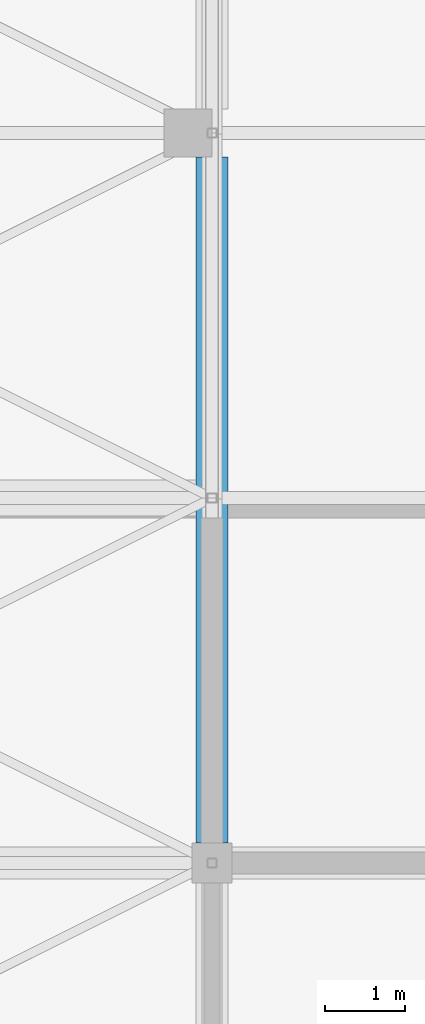
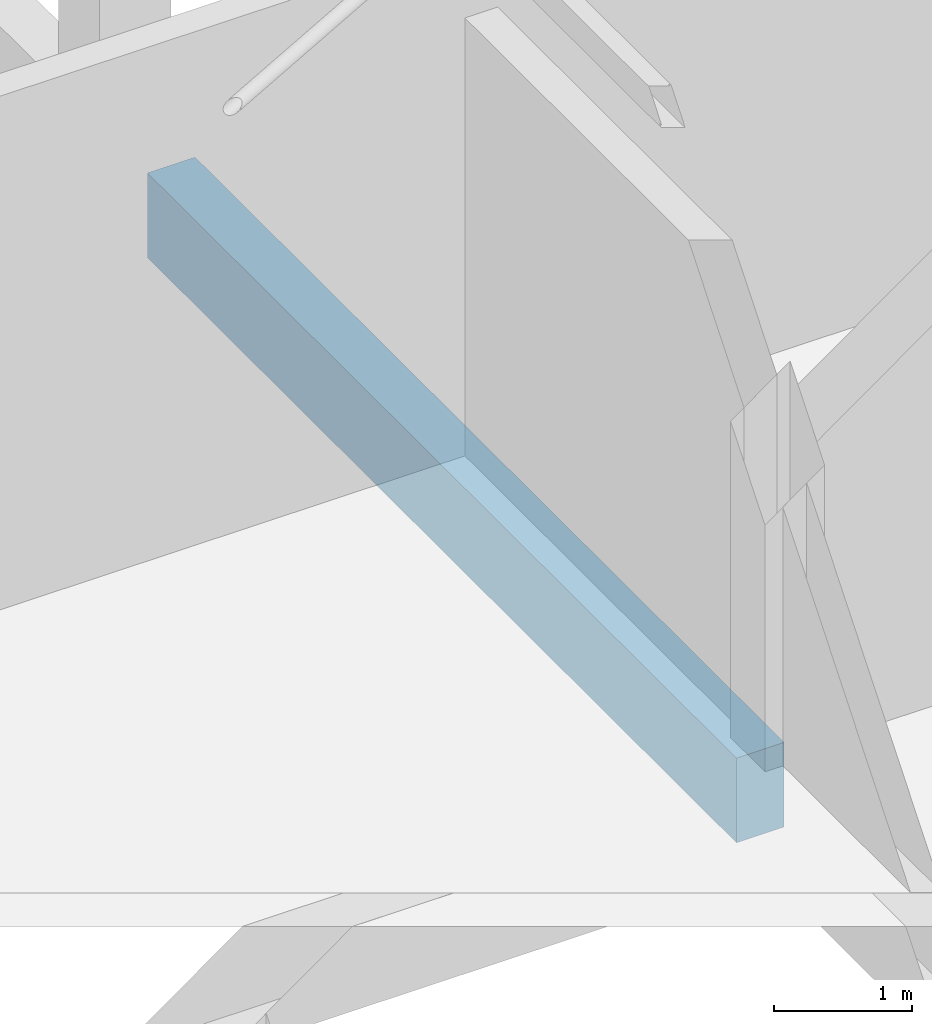
# One storey, part 66 of 500: 1 beam.
"""IFC4 building model written with IfcOpenShell, lengths in metres."""

import ifcopenshell
import ifcopenshell.guid

model = None  # the IFC model being written
_history = None  # IfcOwnerHistory: only IFC2X3 demands one
_inside = {}  # id of a spatial element -> (the spatial element, [elements in it])
_under = {}  # id of a project, library or spatial element -> (it, [spatial elements below it])
_declared = {}  # id of a project -> (the project, [libraries it declares])
_typed = {}  # id of a type object -> (the type object, [elements of that type])
_made_of = {}  # id of a material, layer set ... -> (it, [elements and type objects made of it])


def new_model(schema):
    """Start an empty IFC model of exactly this schema.

    Asked for "IFC4X3", IfcOpenShell would pick the latest addendum, in which some entities
    have other attributes; the version numbers below select the first issue.
    IFC2X3 requires an IfcOwnerHistory on every rooted entity: one is made here for all.
    """
    global model, _history
    if schema == "IFC4X3":
        model = ifcopenshell.file(schema_version=(4, 3, 0, 0))
    else:
        model = ifcopenshell.file(schema=schema)
    _inside.clear()
    _under.clear()
    _declared.clear()
    _typed.clear()
    _made_of.clear()
    _history = None
    if model.schema == "IFC2X3":
        org = make("IfcOrganization", Name="unknown")
        user = make(
            "IfcPersonAndOrganization",
            ThePerson=make("IfcPerson", FamilyName="unknown"),
            TheOrganization=org,
        )
        app = make(
            "IfcApplication",
            ApplicationDeveloper=org,
            Version="unknown",
            ApplicationFullName="unknown",
            ApplicationIdentifier="unknown",
        )
        _history = make(
            "IfcOwnerHistory",
            OwningUser=user,
            OwningApplication=app,
            ChangeAction="ADDED",
            CreationDate=0,
        )
    return model


def make(cls, **values):
    """One entity of the class cls with the attributes given. An attribute that is None is left unset."""
    return model.create_entity(
        cls, **{name: value for name, value in values.items() if value is not None}
    )


def rooted(cls, **values):
    """An entity with a GlobalId (a new one), such as an element, a storey or a relation."""
    return make(cls, GlobalId=ifcopenshell.guid.new(), OwnerHistory=_history, **values)


def si_unit(unit_type, name, prefix=None):
    """IfcSIUnit, for example si_unit("LENGTHUNIT", "METRE", prefix="MILLI")."""
    return make("IfcSIUnit", UnitType=unit_type, Prefix=prefix, Name=name)


def assignment(units):
    """IfcUnitAssignment: the units of a project."""
    return None if units is None else make("IfcUnitAssignment", Units=units)


def point(xyz):
    """IfcCartesianPoint."""
    return None if xyz is None else make("IfcCartesianPoint", Coordinates=xyz)


def direction(xyz):
    """IfcDirection."""
    return None if xyz is None else make("IfcDirection", DirectionRatios=xyz)


def frame(location, z_axis=None, x_axis=None):
    """IfcAxis2Placement3D, a coordinate frame: its origin and axes. An axis left out is left unset."""
    return make(
        "IfcAxis2Placement3D",
        Location=point(location),
        Axis=direction(z_axis),
        RefDirection=direction(x_axis),
    )


def frame_2d(location, x_axis=None):
    """IfcAxis2Placement2D, a coordinate frame in the plane: its origin and x axis."""
    return make(
        "IfcAxis2Placement2D", Location=point(location), RefDirection=direction(x_axis)
    )


def origin():
    """The frame at (0, 0, 0) with its axes left unset."""
    return frame((0.0, 0.0, 0.0))


def origin_2d():
    """The frame at (0, 0) in the plane with its x axis left unset."""
    return frame_2d((0.0, 0.0))


def place(relative_to, where):
    """IfcLocalPlacement: puts the frame where relative to a parent placement (None: the world)."""
    return make(
        "IfcLocalPlacement", PlacementRelTo=relative_to, RelativePlacement=where
    )


def context(
    kind, dimensions, precision=None, world=None, true_north=None, identifier=None
):
    """IfcGeometricRepresentationContext, for example the 3D "Model" context."""
    return make(
        "IfcGeometricRepresentationContext",
        ContextIdentifier=identifier,
        ContextType=kind,
        CoordinateSpaceDimension=dimensions,
        Precision=precision,
        WorldCoordinateSystem=world,
        TrueNorth=true_north,
    )


def subcontext(parent, identifier, kind, view, scale=None):
    """IfcGeometricRepresentationSubContext, for example "Body" below "Model"."""
    return make(
        "IfcGeometricRepresentationSubContext",
        ContextIdentifier=identifier,
        ContextType=kind,
        ParentContext=parent,
        TargetScale=scale,
        TargetView=view,
    )


def project(units=None, contexts=None):
    """IfcProject with its units and contexts."""
    return rooted(
        "IfcProject",
        Name="project",
        RepresentationContexts=contexts,
        UnitsInContext=assignment(units),
    )


def spatial(cls, under=None, at=None, **own):
    """A site, building, storey or space (cls), placed at a placement, below another one or the project."""
    s = rooted(cls, ObjectPlacement=at, **own)
    if under is not None:
        _under.setdefault(under.id(), (under, []))[1].append(s)
    return s


def profile(cls, at=None, kind="AREA", **sizes):
    """A parametric profile (cls). Its sizes go by their IFC names, for example OverallWidth=200.0."""
    return make(cls, ProfileType=kind, Position=at, **sizes)


def rectangle(**sizes):
    """IfcRectangleProfileDef."""
    return profile("IfcRectangleProfileDef", **sizes)


def extrude(swept, where, along, depth):
    """IfcExtrudedAreaSolid: the profile swept, set in the frame where, extruded along a direction by depth."""
    return make(
        "IfcExtrudedAreaSolid",
        SweptArea=swept,
        Position=where,
        ExtrudedDirection=direction(along),
        Depth=depth,
    )


def shape(context_of_items, identifier, shape_type, items):
    """IfcShapeRepresentation: the items that make up one representation, for example the "Body"."""
    return make(
        "IfcShapeRepresentation",
        ContextOfItems=context_of_items,
        RepresentationIdentifier=identifier,
        RepresentationType=shape_type,
        Items=items,
    )


def material(Name=None, Category=None):
    """IfcMaterial."""
    return make("IfcMaterial", Name=Name, Category=Category)


def material_profile(
    of_material, cross_section, Name=None, Category=None, Priority=None
):
    """IfcMaterialProfile: a cross section and its material."""
    return make(
        "IfcMaterialProfile",
        Name=Name,
        Material=of_material,
        Profile=cross_section,
        Priority=Priority,
        Category=Category,
    )


def profile_set(profiles, Name=None, composite=None):
    """IfcMaterialProfileSet."""
    return make(
        "IfcMaterialProfileSet",
        Name=Name,
        MaterialProfiles=profiles,
        CompositeProfile=composite,
    )


def made_of(thing, what):
    """Note that an element or type object is made of a material, layer set ...; save() writes the relation."""
    if what is not None:
        _made_of.setdefault(what.id(), (what, []))[1].append(thing)
    return thing


def type_object(cls, material=None, **own):
    """A type object (cls), such as IfcWallType, which elements share."""
    return made_of(rooted(cls, **own), material)


def element(
    cls,
    number,
    at=None,
    inside=None,
    cuts=None,
    type_object=None,
    material=None,
    context=None,
    identifier="Body",
    shape_type=None,
    held_by="IfcProductDefinitionShape",
    body=None,
    shapes=None,
    **own,
):
    """One element of the class cls, such as IfcWall. Its Tag is "e" and its number.

    at: its placement. inside: the storey or other place that contains it. cuts: it is an
    opening in that element (IfcRelVoidsElement). A single representation is given by context,
    identifier, shape_type and body (its items); several are given by shapes. held_by: the class
    of the entity that holds the representations. save() writes the other relations.
    """
    e = rooted(cls, Tag="e%d" % number, ObjectPlacement=at, **own)
    if body is not None:
        shapes = [shape(context, identifier, shape_type, body)]
    if shapes is not None:
        e.Representation = make(held_by, Representations=shapes)
    if inside is not None:
        _inside.setdefault(inside.id(), (inside, []))[1].append(e)
    if cuts is not None:
        rooted(
            "IfcRelVoidsElement", RelatingBuildingElement=cuts, RelatedOpeningElement=e
        )
    if type_object is not None:
        _typed.setdefault(type_object.id(), (type_object, []))[1].append(e)
    return made_of(e, material)


def aggregate(whole, parts):
    """IfcRelAggregates: a whole, such as a stair, and the parts it consists of."""
    return rooted("IfcRelAggregates", RelatingObject=whole, RelatedObjects=parts)


def save(model, path):
    """Write the relations noted so far, then the file.

    IfcRelAggregates (storeys below a building ...), IfcRelContainedInSpatialStructure (elements
    in a storey), IfcRelDefinesByType, IfcRelAssociatesMaterial and IfcRelDeclares: one each for
    every whole, place, type object, material and project.
    """
    for whole, parts in _under.values():
        aggregate(whole, parts)
    for where, things in _inside.values():
        rooted(
            "IfcRelContainedInSpatialStructure",
            RelatedElements=things,
            RelatingStructure=where,
        )
    for kind, things in _typed.values():
        rooted("IfcRelDefinesByType", RelatedObjects=things, RelatingType=kind)
    for what, things in _made_of.values():
        rooted("IfcRelAssociatesMaterial", RelatedObjects=things, RelatingMaterial=what)
    for by, libraries in _declared.values():
        rooted("IfcRelDeclares", RelatingContext=by, RelatedDefinitions=libraries)
    model.write(path)


model = new_model("IFC4")

# Units and contexts
model_context = context("Model", 3, precision=1e-05, world=origin(), true_north=direction((0.0, 1.0)))
body_context = subcontext(model_context, "Body", "Model", "MODEL_VIEW")
ifc_project = project(units=[si_unit("LENGTHUNIT", "METRE"), si_unit("AREAUNIT", "SQUARE_METRE"), si_unit("VOLUMEUNIT", "CUBIC_METRE"), si_unit("PLANEANGLEUNIT", "RADIAN"), si_unit("MASSUNIT", "GRAM", prefix="KILO")], contexts=[model_context])

# Site, building, storey
site_placement = place(None, origin())
site = spatial("IfcSite", under=ifc_project, at=site_placement, CompositionType="ELEMENT")
building_placement = place(site_placement, origin())
building = spatial("IfcBuilding", under=site, at=building_placement, Name="Shirokan Park Arena", CompositionType="ELEMENT")
storey_placement = place(building_placement, frame((0.0, 0.0, 29.1201171875)))
storey = spatial("IfcBuildingStorey", under=building, at=storey_placement, Name="L06", CompositionType="ELEMENT", Elevation=29.1201171875)

# Beam
ifc_material = material(Name="Concrete C35", Category="concrete")
ifc_material_profile = material_profile(ifc_material, rectangle(XDim=0.39990234375, YDim=0.75, at=origin_2d()), Name="400x750")
ifc_profile_set = profile_set([ifc_material_profile], Name="Concrete C35")
beam_type = type_object("IfcBeamType", Name="RC girder 400x750", PredefinedType="BEAM", material=ifc_profile_set)
beam_placement = place(storey_placement, frame((9.10009765625, 36.650146484375, -0.5751953125), z_axis=(0.0, 1.0, 0.0), x_axis=(-1.0, 0.0, 0.0)))
element("IfcBeam", 1, at=beam_placement, inside=storey, type_object=beam_type, Name="Girder 2E-2F L06", PredefinedType="BEAM", context=body_context, shape_type="SweptSolid", body=[
    extrude(rectangle(XDim=0.39990234375, YDim=0.75, at=origin_2d()), origin(), (0.0, 0.0, 1.0), 8.5498046875),
])

save(model, "model.ifc")
